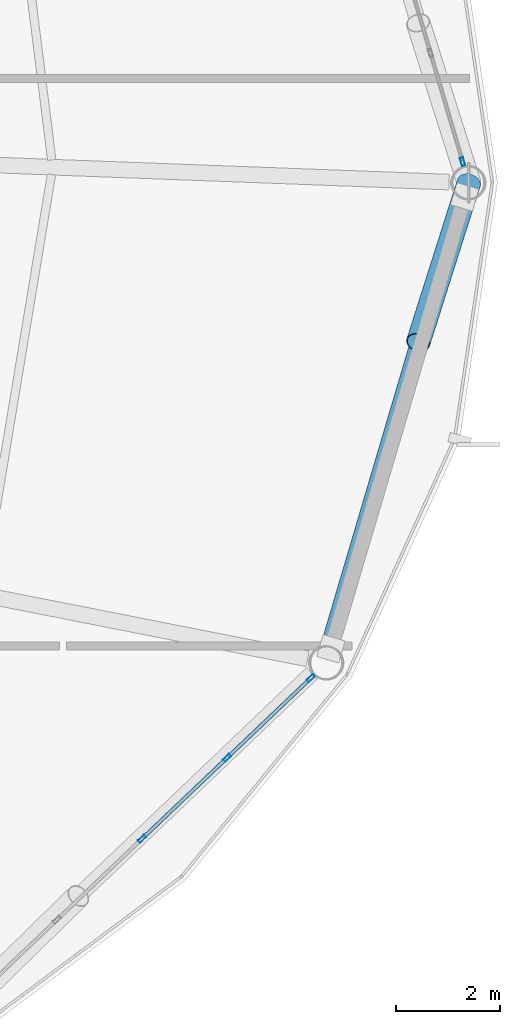
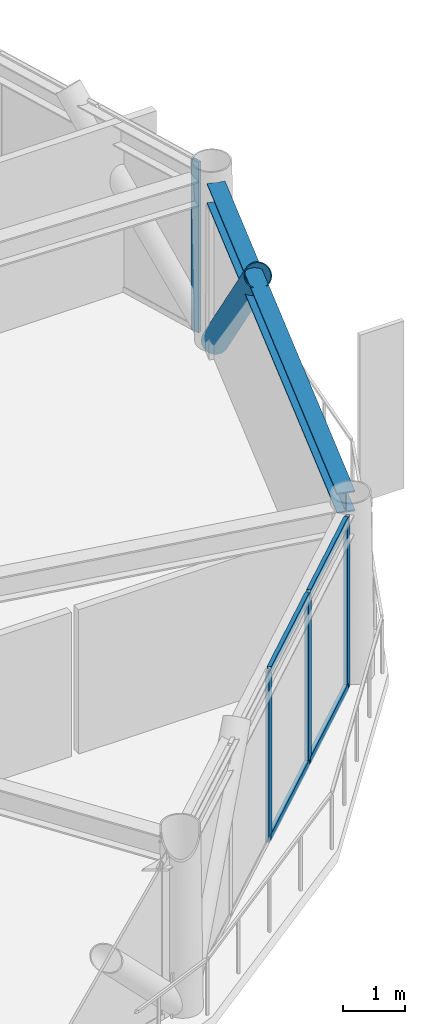
# One storey, part 15 of 28: 9 members, 1 beam, 2 elements without a shape of their own.
"""IFC4 building model written with IfcOpenShell, lengths in metres."""

from ifc_helpers import new_model, si_unit, direction, frame, origin, origin_2d, place, context, subcontext, project, spatial, hollow_rectangle, hollow_circle, i_section, extrude, material, layer, layer_set, material_profile, profile_set, type_object, element, aggregate, save


model = new_model("IFC4")

# Units and contexts
model_context = context("Model", 3, precision=1e-05, world=origin(), true_north=direction((0.0, 1.0)))
body_context = subcontext(model_context, "Body", "Model", "MODEL_VIEW")
ifc_project = project(units=[si_unit("LENGTHUNIT", "METRE"), si_unit("AREAUNIT", "SQUARE_METRE"), si_unit("VOLUMEUNIT", "CUBIC_METRE"), si_unit("PLANEANGLEUNIT", "RADIAN"), si_unit("MASSUNIT", "GRAM", prefix="KILO")], contexts=[model_context])

# Site, building, storey
site_placement = place(None, origin())
site = spatial("IfcSite", under=ifc_project, at=site_placement, CompositionType="ELEMENT")
building_placement = place(site_placement, origin())
building = spatial("IfcBuilding", under=site, at=building_placement, Name="Varnakorn Sky Granary", CompositionType="ELEMENT")
storey_placement = place(building_placement, frame((0.0, 0.0, 193.199951171875)))
storey = spatial("IfcBuildingStorey", under=building, at=storey_placement, Name="L48", CompositionType="ELEMENT", Elevation=193.199951171875)

# Beam
ifc_material_1 = material(Name="Steel S355JR", Category="steel")
ifc_material_profile_1 = material_profile(ifc_material_1, i_section(OverallWidth=0.300048828125, OverallDepth=0.39990234375, WebThickness=0.013427734375, FlangeThickness=0.02392578125, at=origin_2d()), Name="HE 400 B")
ifc_profile_set_1 = profile_set([ifc_material_profile_1], Name="Steel S355JR")
beam_type = type_object("IfcBeamType", Name="BM-SPD-Z4", PredefinedType="SPANDREL", material=ifc_profile_set_1)
beam_placement = place(storey_placement, frame((21.661376953125, -8.90380859375, 3.16015625), z_axis=(0.283527622296, 0.958964069919, 0.0), x_axis=(-0.958964069919, 0.283527622296, 0.0)))
element("IfcBeam", 1, at=beam_placement, inside=storey, type_object=beam_type, Name="Perimeter Spandrel Ring Beam RB12 L48", PredefinedType="SPANDREL", context=body_context, shape_type="SweptSolid", body=[
    extrude(i_section(OverallWidth=0.300048828125, OverallDepth=0.39990234375, WebThickness=0.013427734375, FlangeThickness=0.02392578125, at=origin_2d()), origin(), (0.0, 0.0, 1.0), 8.969970703125),
])

# Curtain wall, member
ifc_material_2 = material(Name="Anodised Bronze Aluminium Alloy 6063-T6", Category="aluminium")
ifc_layer = layer(ifc_material_2, 0.169921875, Name="Anodised Bronze Aluminium Alloy 6063-T6")
ifc_layer_set = layer_set([ifc_layer], Name="Anodised Bronze Aluminium Alloy 6063-T6")
curtain_wall_type = type_object("IfcCurtainWallType", Name="CW-LAB-1", PredefinedType="USERDEFINED", material=ifc_layer_set)
curtain_wall_1_placement = place(storey_placement, origin())
curtain_wall_1 = element("IfcCurtainWall", 2, at=curtain_wall_1_placement, inside=storey, type_object=curtain_wall_type, Name="Unitised Curtain Wall CW5 CW-L48-B01", ObjectType="CURTAIN WALL", PredefinedType="USERDEFINED")
ifc_material_profile_2 = material_profile(ifc_material_2, hollow_rectangle(XDim=0.06494140625, YDim=0.159912109375, WallThickness=0.00341796875, at=origin_2d()), Name="ALU MULL 65x160")
ifc_profile_set_2 = profile_set([ifc_material_profile_2], Name="Anodised Bronze Aluminium Alloy 6063-T6")
member_type_1 = type_object("IfcMemberType", Name="CW-LAB-1-MULL", PredefinedType="MULLION", material=ifc_profile_set_2)
member_1_placement = place(storey_placement, frame((24.240966796875, 0.4052734375, 0.0), z_axis=(0.0, 0.0, 1.0), x_axis=(0.958847747694, 0.283920757858, 0.0)))
member_1 = element("IfcMember", 3, at=member_1_placement, type_object=member_type_1, Name="CW5 mullion 5", PredefinedType="MULLION", context=body_context, shape_type="SweptSolid", body=[
    extrude(hollow_rectangle(XDim=0.06494140625, YDim=0.159912109375, WallThickness=0.00341796875, at=origin_2d()), origin(), (0.0, 0.0, 1.0), 3.360107421875),
])
aggregate(curtain_wall_1, [member_1])

# Curtain wall, members
curtain_wall_2_placement = place(storey_placement, origin())
curtain_wall_2 = element("IfcCurtainWall", 4, at=curtain_wall_2_placement, inside=storey, type_object=curtain_wall_type, Name="Unitised Curtain Wall CW5 CW-L48-B11", ObjectType="CURTAIN WALL", PredefinedType="USERDEFINED")
member_2_placement = place(storey_placement, frame((21.323974609375, -9.514404296875, 0.0), z_axis=(0.0, 0.0, 1.0), x_axis=(0.689516343161, -0.724270123996, 0.0)))
member_2 = element("IfcMember", 5, at=member_2_placement, type_object=member_type_1, Name="CW5 mullion 1", PredefinedType="MULLION", context=body_context, shape_type="SweptSolid", body=[
    extrude(hollow_rectangle(XDim=0.06494140625, YDim=0.159912109375, WallThickness=0.00341796875, at=origin_2d()), origin(), (0.0, 0.0, 1.0), 3.360107421875),
])
member_3_placement = place(storey_placement, frame((19.7158203125, -11.04541015625, 0.0), z_axis=(0.0, 0.0, 1.0), x_axis=(0.689516343161, -0.724270123996, 0.0)))
member_3 = element("IfcMember", 6, at=member_3_placement, type_object=member_type_1, Name="CW5 mullion 2", PredefinedType="MULLION", context=body_context, shape_type="SweptSolid", body=[
    extrude(hollow_rectangle(XDim=0.06494140625, YDim=0.159912109375, WallThickness=0.00341796875, at=origin_2d()), origin(), (0.0, 0.0, 1.0), 3.360107421875),
])
member_4_placement = place(storey_placement, frame((18.083984375, -12.598876953125, 0.0), z_axis=(0.0, 0.0, 1.0), x_axis=(0.689516343161, -0.724270123996, 0.0)))
member_4 = element("IfcMember", 7, at=member_4_placement, type_object=member_type_1, Name="CW5 mullion 3", PredefinedType="MULLION", context=body_context, shape_type="SweptSolid", body=[
    extrude(hollow_rectangle(XDim=0.06494140625, YDim=0.159912109375, WallThickness=0.00341796875, at=origin_2d()), origin(), (0.0, 0.0, 1.0), 3.360107421875),
])
ifc_material_profile_3 = material_profile(ifc_material_2, hollow_rectangle(XDim=0.070068359375, YDim=0.139892578125, WallThickness=0.00341796875, at=origin_2d()), Name="ALU TRAN 70x140")
ifc_profile_set_3 = profile_set([ifc_material_profile_3], Name="Anodised Bronze Aluminium Alloy 6063-T6")
member_type_2 = type_object("IfcMemberType", Name="CW-LAB-1-TRAN", PredefinedType="USERDEFINED", material=ifc_profile_set_3)
member_5_placement = place(storey_placement, frame((21.300537109375, -9.53662109375, 0.03515625), z_axis=(-0.724277972216, -0.689508099273, 0.0), x_axis=(0.689508099273, -0.724277972216, 0.0)))
member_5 = element("IfcMember", 8, at=member_5_placement, type_object=member_type_2, Name="CW5 transom 1.1", ObjectType="TRANSOM", PredefinedType="USERDEFINED", context=body_context, shape_type="SweptSolid", body=[
    extrude(hollow_rectangle(XDim=0.070068359375, YDim=0.139892578125, WallThickness=0.00341796875, at=origin_2d()), origin(), (0.0, 0.0, 1.0), 2.155517578125),
])
member_6_placement = place(storey_placement, frame((21.300537109375, -9.53662109375, 3.324951171875), z_axis=(-0.724277972216, -0.689508099273, 0.0), x_axis=(0.689508099273, -0.724277972216, 0.0)))
member_6 = element("IfcMember", 9, at=member_6_placement, type_object=member_type_2, Name="CW5 transom 1.2", ObjectType="TRANSOM", PredefinedType="USERDEFINED", context=body_context, shape_type="SweptSolid", body=[
    extrude(hollow_rectangle(XDim=0.070068359375, YDim=0.139892578125, WallThickness=0.00341796875, at=origin_2d()), origin(), (0.0, 0.0, 1.0), 2.155517578125),
])
member_7_placement = place(storey_placement, frame((19.6923828125, -11.06787109375, 0.03515625), z_axis=(-0.724299782659, -0.689485188268, 0.0), x_axis=(0.689485188268, -0.724299782659, 0.0)))
member_7 = element("IfcMember", 10, at=member_7_placement, type_object=member_type_2, Name="CW5 transom 2.1", ObjectType="TRANSOM", PredefinedType="USERDEFINED", context=body_context, shape_type="SweptSolid", body=[
    extrude(hollow_rectangle(XDim=0.070068359375, YDim=0.139892578125, WallThickness=0.00341796875, at=origin_2d()), origin(), (0.0, 0.0, 1.0), 2.18798828125),
])
member_8_placement = place(storey_placement, frame((19.6923828125, -11.06787109375, 3.324951171875), z_axis=(-0.724299782659, -0.689485188268, 0.0), x_axis=(0.689485188268, -0.724299782659, 0.0)))
member_8 = element("IfcMember", 11, at=member_8_placement, type_object=member_type_2, Name="CW5 transom 2.2", ObjectType="TRANSOM", PredefinedType="USERDEFINED", context=body_context, shape_type="SweptSolid", body=[
    extrude(hollow_rectangle(XDim=0.070068359375, YDim=0.139892578125, WallThickness=0.00341796875, at=origin_2d()), origin(), (0.0, 0.0, 1.0), 2.18798828125),
])
aggregate(curtain_wall_2, [member_2, member_3, member_4, member_5, member_6, member_7, member_8])

# Member
ifc_material_3 = material(Name="Steel S460M", Category="steel")
ifc_material_profile_4 = material_profile(ifc_material_3, hollow_circle(Radius=0.228515625, WallThickness=0.01611328125, at=origin_2d()), Name="CHS 457x16")
ifc_profile_set_4 = profile_set([ifc_material_profile_4], Name="Steel S460M")
member_type_3 = type_object("IfcMemberType", Name="MB-DIAG-T3", PredefinedType="BRACE", material=ifc_profile_set_4)
member_9_placement = place(storey_placement, frame((24.361083984375, 0.0, 0.0), z_axis=(-0.205205721442, -0.646261767178, 0.735007714362), x_axis=(0.953105867653, -0.302637084717, 0.0)))
element("IfcMember", 12, at=member_9_placement, inside=storey, type_object=member_type_3, Name="Perimeter CHS Diagrid Brace DG12 L48", PredefinedType="BRACE", context=body_context, shape_type="SweptSolid", body=[
    extrude(hollow_circle(Radius=0.228515625, WallThickness=0.01611328125, at=origin_2d()), origin(), (0.0, 0.0, 1.0), 4.748291015625),
])

save(model, "model.ifc")
